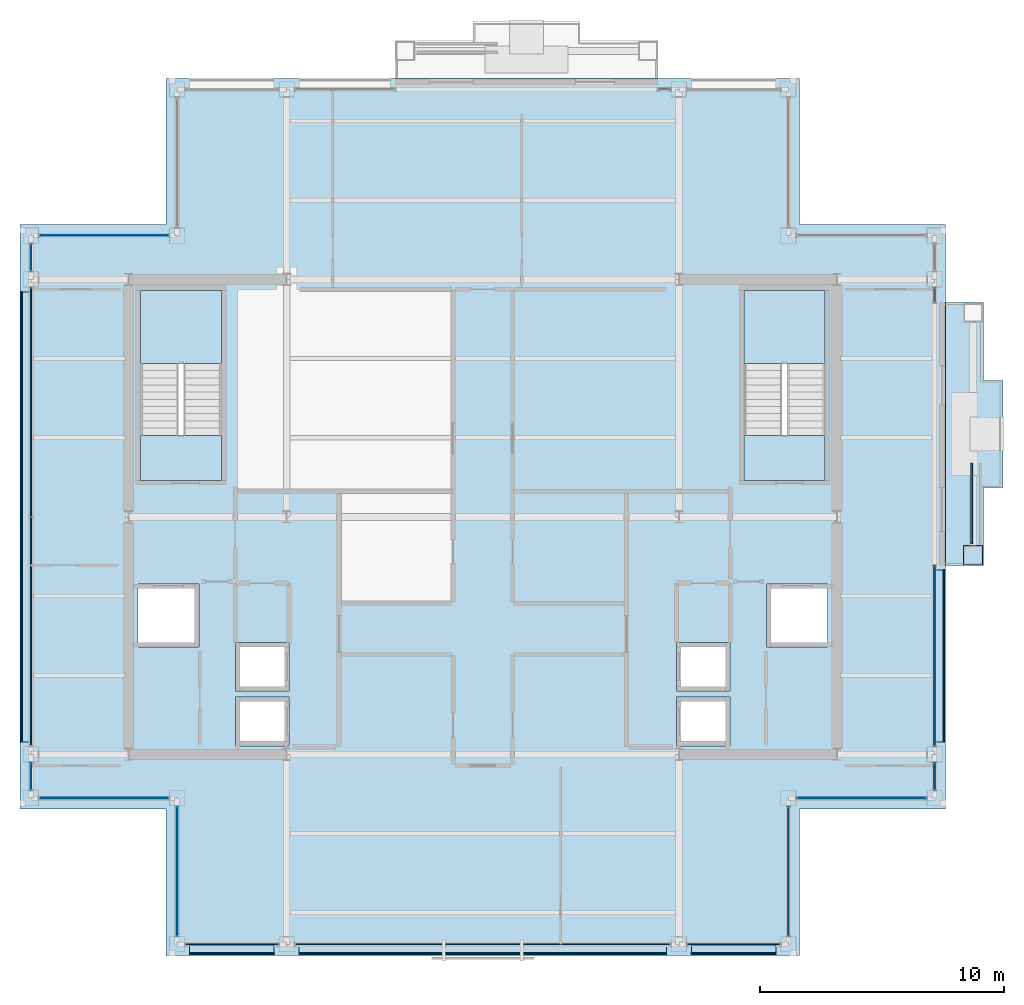
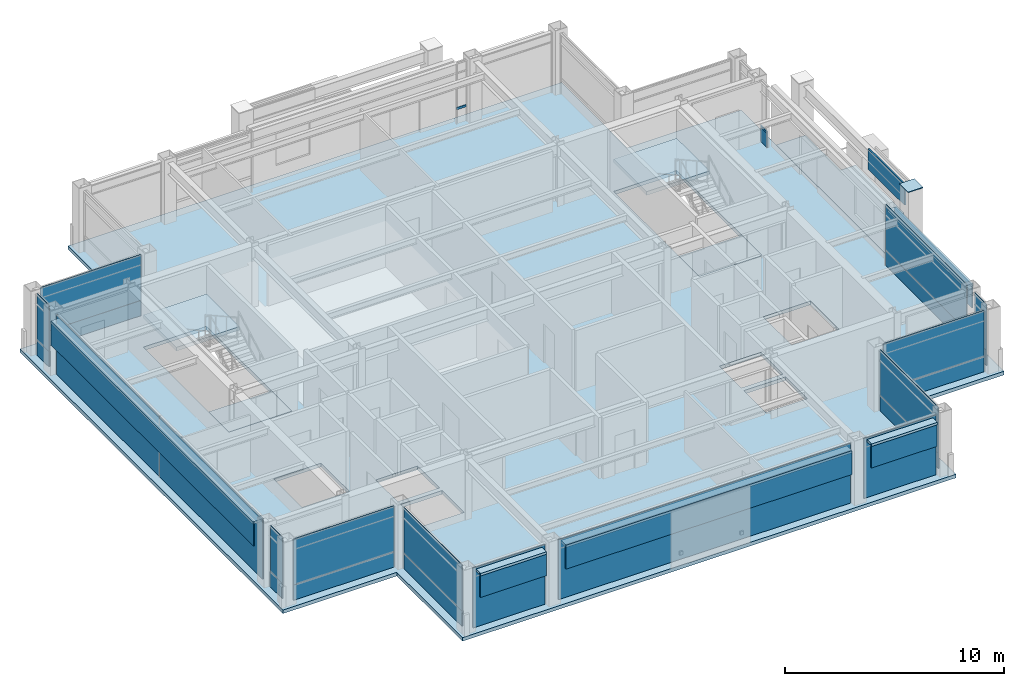
# One storey, part 17 of 23: 36 plates, 6 slabs, 2 members, 17 elements without a shape of their own.
"""IFC4 building model written with IfcOpenShell, lengths in metres."""

from ifc_helpers import new_model, si_unit, direction, frame, origin, origin_2d, place, context, subcontext, project, spatial, polyline, rectangle, hollow_rectangle, outline, extrude, material, layer, layer_set, material_profile, profile_set, type_object, element, aggregate, save


model = new_model("IFC4")

# Units and contexts
model_context = context("Model", 3, precision=1e-05, world=origin(), true_north=direction((0.0, 1.0)))
body_context = subcontext(model_context, "Body", "Model", "MODEL_VIEW")
ifc_project = project(units=[si_unit("LENGTHUNIT", "METRE"), si_unit("AREAUNIT", "SQUARE_METRE"), si_unit("VOLUMEUNIT", "CUBIC_METRE"), si_unit("PLANEANGLEUNIT", "RADIAN"), si_unit("MASSUNIT", "GRAM", prefix="KILO")], contexts=[model_context])

# Site, building, storey
site_placement = place(None, origin())
site = spatial("IfcSite", under=ifc_project, at=site_placement, CompositionType="ELEMENT")
building_placement = place(site_placement, origin())
building = spatial("IfcBuilding", under=site, at=building_placement, Name="Brelmoor Portico Tower", CompositionType="ELEMENT")
storey_placement = place(building_placement, frame((0.0, 0.0, 222.0)))
storey = spatial("IfcBuildingStorey", under=building, at=storey_placement, Name="L58", CompositionType="ELEMENT", Elevation=222.0)

# Curtain wall, member
ifc_material_1 = material(Name="Anodised Aluminium Alloy 6063-T6", Category="aluminium")
ifc_layer_1 = layer(ifc_material_1, 0.179931640625)
ifc_layer_set_1 = layer_set([ifc_layer_1], Name="Anodised Aluminium Alloy 6063-T6")
curtain_wall_type_1 = type_object("IfcCurtainWallType", Name="CW-TOWER-Z4", PredefinedType="NOTDEFINED", material=ifc_layer_set_1)
curtain_wall_1_placement = place(storey_placement, origin())
curtain_wall_1 = element("IfcCurtainWall", 1, at=curtain_wall_1_placement, inside=storey, type_object=curtain_wall_type_1, Name="L58 Curtain Wall CW-L58-2R-1", PredefinedType="NOTDEFINED")
ifc_material_profile = material_profile(ifc_material_1, hollow_rectangle(XDim=0.06005859375, YDim=0.125, WallThickness=0.00341796875, at=origin_2d()), Name="ALU TRANSOM 60x125")
ifc_profile_set = profile_set([ifc_material_profile], Name="Anodised Aluminium Alloy 6063-T6")
member_type = type_object("IfcMemberType", Name="MB-CW-TRAN-125", PredefinedType="USERDEFINED", material=ifc_profile_set)
member_1_placement = place(storey_placement, frame((7.199951171875, 17.550048828125, 0.85009765625), z_axis=(1.0, 0.0, 0.0), x_axis=(0.0, 1.0, 0.0)))
member_1 = element("IfcMember", 2, at=member_1_placement, type_object=member_type, Name="CW-L58-2R-1 Transom 1-00", ObjectType="TRANSOM", PredefinedType="USERDEFINED", context=body_context, shape_type="SweptSolid", body=[
    extrude(hollow_rectangle(XDim=0.06005859375, YDim=0.125, WallThickness=0.00341796875, at=origin_2d()), origin(), (0.0, 0.0, 1.0), 0.51513671875),
])
aggregate(curtain_wall_1, [member_1])

curtain_wall_2_placement = place(storey_placement, origin())
curtain_wall_2 = element("IfcCurtainWall", 3, at=curtain_wall_2_placement, inside=storey, type_object=curtain_wall_type_1, Name="L58 Curtain Wall CW-L58-4R-1", PredefinedType="NOTDEFINED")
member_2_placement = place(storey_placement, frame((18.550048828125, 8.800048828125, 0.85009765625), z_axis=(0.0, 1.0, 0.0), x_axis=(-1.0, 0.0, 0.0)))
member_2 = element("IfcMember", 4, at=member_2_placement, type_object=member_type, Name="CW-L58-4R-1 Transom 1-00", ObjectType="TRANSOM", PredefinedType="USERDEFINED", context=body_context, shape_type="SweptSolid", body=[
    extrude(hollow_rectangle(XDim=0.06005859375, YDim=0.125, WallThickness=0.00341796875, at=origin_2d()), origin(), (0.0, 0.0, 1.0), 0.614990234375),
])

# Plate
ifc_material_2 = material(Name="Steel Q355B", Category="steel")
ifc_layer_2 = layer(ifc_material_2, 0.044921875)
ifc_layer_set_2 = layer_set([ifc_layer_2], Name="Steel Q355B")
plate_type_1 = type_object("IfcPlateType", Name="PT-CAP-650", PredefinedType="SHEET", material=ifc_layer_set_2)
plate_1_placement = place(storey_placement, frame((20.1298828125, -1.580078125, 3.60009765625), z_axis=(0.0, 0.0, 1.0), x_axis=(0.0, 1.0, 0.0)))
element("IfcPlate", 5, at=plate_1_placement, inside=storey, type_object=plate_type_1, Name="L58 Proud Picture-Frame Pier PFJ-E1 Welded Head Cap Plate", PredefinedType="SHEET", context=body_context, shape_type="SweptSolid", body=[
    extrude(rectangle(XDim=0.7900390625, YDim=0.7900390625, at=origin_2d()), origin(), (0.0, 0.0, 1.0), 0.0400390625),
])

# Curtain wall, plate
curtain_wall_3_placement = place(storey_placement, origin())
curtain_wall_3 = element("IfcCurtainWall", 6, at=curtain_wall_3_placement, inside=storey, type_object=curtain_wall_type_1, Name="L58 Curtain Wall CW-L58-03-1", PredefinedType="NOTDEFINED")
ifc_material_3 = material(Name="Double-Silver Low-E Insulated Glazing", Category="glass")
ifc_layer_3 = layer(ifc_material_3, 0.035888671875)
ifc_layer_set_3 = layer_set([ifc_layer_3], Name="Double-Silver Low-E Insulated Glazing")
plate_type_2 = type_object("IfcPlateType", Name="PT-CW-GLASS", PredefinedType="CURTAIN_PANEL", material=ifc_layer_set_3)
plate_2_placement = place(storey_placement, frame((-18.550048828125, -10.64990234375, 0.85009765625), z_axis=(0.0, 0.0, 1.0), x_axis=(0.0, 1.0, 0.0)))
plate_2 = element("IfcPlate", 7, at=plate_2_placement, type_object=plate_type_2, Name="CW-L58-03-1 Vision Glass Panel 00", PredefinedType="CURTAIN_PANEL", context=body_context, shape_type="SweptSolid", body=[
    extrude(rectangle(XDim=1.10009765625, YDim=0.035888671875, at=origin_2d()), origin(), (0.0, 0.0, 1.0), 2.550048828125),
])

curtain_wall_4_placement = place(storey_placement, origin())
curtain_wall_4 = element("IfcCurtainWall", 8, at=curtain_wall_4_placement, inside=storey, type_object=curtain_wall_type_1, Name="L58 Curtain Wall CW-L58-03-3", PredefinedType="NOTDEFINED")
plate_3_placement = place(storey_placement, frame((-18.550048828125, 10.64990234375, 0.85009765625), z_axis=(0.0, 0.0, 1.0), x_axis=(0.0, 1.0, 0.0)))
plate_3 = element("IfcPlate", 9, at=plate_3_placement, type_object=plate_type_2, Name="CW-L58-03-3 Vision Glass Panel 00", PredefinedType="CURTAIN_PANEL", context=body_context, shape_type="SweptSolid", body=[
    extrude(rectangle(XDim=1.10009765625, YDim=0.035888671875, at=origin_2d()), origin(), (0.0, 0.0, 1.0), 2.550048828125),
])

curtain_wall_5_placement = place(storey_placement, origin())
curtain_wall_5 = element("IfcCurtainWall", 10, at=curtain_wall_5_placement, inside=storey, type_object=curtain_wall_type_1, Name="L58 Curtain Wall CW-L58-4L-1", PredefinedType="NOTDEFINED")
plate_4_placement = place(storey_placement, frame((18.550048828125, -10.64990234375, 0.85009765625), z_axis=(0.0, 0.0, 1.0), x_axis=(0.0, 1.0, 0.0)))
plate_4 = element("IfcPlate", 11, at=plate_4_placement, type_object=plate_type_2, Name="CW-L58-4L-1 Vision Glass Panel 00", PredefinedType="CURTAIN_PANEL", context=body_context, shape_type="SweptSolid", body=[
    extrude(rectangle(XDim=1.10009765625, YDim=0.035888671875, at=origin_2d()), origin(), (0.0, 0.0, 1.0), 2.550048828125),
])

curtain_wall_6_placement = place(storey_placement, origin())
curtain_wall_6 = element("IfcCurtainWall", 12, at=curtain_wall_6_placement, inside=storey, type_object=curtain_wall_type_1, Name="L58 Curtain Wall CW-L58-4L-2", PredefinedType="NOTDEFINED")
plate_5_placement = place(storey_placement, frame((18.550048828125, -5.70751953125, 0.85009765625), z_axis=(0.0, 0.0, 1.0), x_axis=(0.0, 1.0, 0.0)))
plate_5 = element("IfcPlate", 13, at=plate_5_placement, type_object=plate_type_2, Name="CW-L58-4L-2 Vision Glass Panel 00", PredefinedType="CURTAIN_PANEL", context=body_context, shape_type="SweptSolid", body=[
    extrude(rectangle(XDim=7.385009765625, YDim=0.035888671875, at=origin_2d()), origin(), (0.0, 0.0, 1.0), 2.550048828125),
])

ifc_layer_4 = layer(ifc_material_1, 0.179931640625)
ifc_layer_set_4 = layer_set([ifc_layer_4], Name="Anodised Aluminium Alloy 6063-T6")
curtain_wall_type_2 = type_object("IfcCurtainWallType", Name="CW-NOTCH-CHAMFER", PredefinedType="NOTDEFINED", material=ifc_layer_set_4)
curtain_wall_7_placement = place(storey_placement, origin())
curtain_wall_7 = element("IfcCurtainWall", 14, at=curtain_wall_7_placement, inside=storey, type_object=curtain_wall_type_2, Name="L58 Curtain Wall CWN-L58-SWH", PredefinedType="NOTDEFINED")
plate_6_placement = place(storey_placement, frame((-15.550048828125, -11.550048828125, 0.85009765625), z_axis=(0.0, 0.0, 1.0), x_axis=(1.0, 0.0, 0.0)))
plate_6 = element("IfcPlate", 15, at=plate_6_placement, type_object=plate_type_2, Name="CWN-L58-SWH Vision Glass Panel 00", PredefinedType="CURTAIN_PANEL", context=body_context, shape_type="SweptSolid", body=[
    extrude(rectangle(XDim=5.300048828125, YDim=0.035888671875, at=origin_2d()), origin(), (0.0, 0.0, 1.0), 2.550048828125),
])

curtain_wall_8_placement = place(storey_placement, origin())
curtain_wall_8 = element("IfcCurtainWall", 16, at=curtain_wall_8_placement, inside=storey, type_object=curtain_wall_type_2, Name="L58 Curtain Wall CWN-L58-SWV", PredefinedType="NOTDEFINED")
plate_7_placement = place(storey_placement, frame((-12.550048828125, -14.550048828125, 0.85009765625), z_axis=(0.0, 0.0, 1.0), x_axis=(0.0, 1.0, 0.0)))
plate_7 = element("IfcPlate", 17, at=plate_7_placement, type_object=plate_type_2, Name="CWN-L58-SWV Vision Glass Panel 00", PredefinedType="CURTAIN_PANEL", context=body_context, shape_type="SweptSolid", body=[
    extrude(rectangle(XDim=5.300048828125, YDim=0.035888671875, at=origin_2d()), origin(), (0.0, 0.0, 1.0), 2.550048828125),
])

curtain_wall_9_placement = place(storey_placement, origin())
curtain_wall_9 = element("IfcCurtainWall", 18, at=curtain_wall_9_placement, inside=storey, type_object=curtain_wall_type_2, Name="L58 Curtain Wall CWN-L58-SEH", PredefinedType="NOTDEFINED")
plate_8_placement = place(storey_placement, frame((15.550048828125, -11.550048828125, 0.85009765625), z_axis=(0.0, 0.0, 1.0), x_axis=(1.0, 0.0, 0.0)))
plate_8 = element("IfcPlate", 19, at=plate_8_placement, type_object=plate_type_2, Name="CWN-L58-SEH Vision Glass Panel 00", PredefinedType="CURTAIN_PANEL", context=body_context, shape_type="SweptSolid", body=[
    extrude(rectangle(XDim=5.300048828125, YDim=0.035888671875, at=origin_2d()), origin(), (0.0, 0.0, 1.0), 2.550048828125),
])

curtain_wall_10_placement = place(storey_placement, origin())
curtain_wall_10 = element("IfcCurtainWall", 20, at=curtain_wall_10_placement, inside=storey, type_object=curtain_wall_type_2, Name="L58 Curtain Wall CWN-L58-SEV", PredefinedType="NOTDEFINED")
plate_9_placement = place(storey_placement, frame((12.550048828125, -14.550048828125, 0.85009765625), z_axis=(0.0, 0.0, 1.0), x_axis=(0.0, 1.0, 0.0)))
plate_9 = element("IfcPlate", 21, at=plate_9_placement, type_object=plate_type_2, Name="CWN-L58-SEV Vision Glass Panel 00", PredefinedType="CURTAIN_PANEL", context=body_context, shape_type="SweptSolid", body=[
    extrude(rectangle(XDim=5.300048828125, YDim=0.035888671875, at=origin_2d()), origin(), (0.0, 0.0, 1.0), 2.550048828125),
])

curtain_wall_11_placement = place(storey_placement, origin())
curtain_wall_11 = element("IfcCurtainWall", 22, at=curtain_wall_11_placement, inside=storey, type_object=curtain_wall_type_2, Name="L58 Curtain Wall CWN-L58-NWH", PredefinedType="NOTDEFINED")
plate_10_placement = place(storey_placement, frame((-15.550048828125, 11.550048828125, 0.85009765625), z_axis=(0.0, 0.0, 1.0), x_axis=(1.0, 0.0, 0.0)))
plate_10 = element("IfcPlate", 23, at=plate_10_placement, type_object=plate_type_2, Name="CWN-L58-NWH Vision Glass Panel 00", PredefinedType="CURTAIN_PANEL", context=body_context, shape_type="SweptSolid", body=[
    extrude(rectangle(XDim=5.300048828125, YDim=0.035888671875, at=origin_2d()), origin(), (0.0, 0.0, 1.0), 2.550048828125),
])

ifc_layer_5 = layer(ifc_material_1, 0.179931640625)
ifc_layer_set_5 = layer_set([ifc_layer_5], Name="Anodised Aluminium Alloy 6063-T6")
curtain_wall_type_3 = type_object("IfcCurtainWallType", Name="CW-TOWER-Z4-XB", PredefinedType="NOTDEFINED", material=ifc_layer_set_5)
curtain_wall_12_placement = place(storey_placement, origin())
curtain_wall_12 = element("IfcCurtainWall", 24, at=curtain_wall_12_placement, inside=storey, type_object=curtain_wall_type_3, Name="L58 Curtain Wall CW-L58-01-1", PredefinedType="NOTDEFINED")
ifc_material_4 = material(Name="Pale Champagne Anodised Aluminium Panel", Category="aluminium")
ifc_layer_6 = layer(ifc_material_4, 0.050048828125)
ifc_layer_set_6 = layer_set([ifc_layer_6], Name="Pale Champagne Anodised Aluminium Panel")
plate_type_3 = type_object("IfcPlateType", Name="PT-CW-SPANDREL", PredefinedType="SHEET", material=ifc_layer_set_6)
plate_11_placement = place(storey_placement, frame((-10.300048828125, -17.550048828125, 0.0), z_axis=(0.0, 0.0, 1.0), x_axis=(1.0, 0.0, 0.0)))
plate_11 = element("IfcPlate", 25, at=plate_11_placement, type_object=plate_type_3, Name="CW-L58-01-1 Spandrel Panel 00", PredefinedType="SHEET", context=body_context, shape_type="SweptSolid", body=[
    extrude(rectangle(XDim=3.800048828125, YDim=0.050048828125, at=origin_2d()), origin(), (0.0, 0.0, 1.0), 3.33740234375),
])
aggregate(curtain_wall_12, [plate_11])

curtain_wall_13_placement = place(storey_placement, origin())
curtain_wall_13 = element("IfcCurtainWall", 26, at=curtain_wall_13_placement, inside=storey, type_object=curtain_wall_type_3, Name="L58 Curtain Wall CW-L58-01-2", PredefinedType="NOTDEFINED")
plate_12_placement = place(storey_placement, frame((0.0, -17.550048828125, 0.0), z_axis=(0.0, 0.0, 1.0), x_axis=(1.0, 0.0, 0.0)))
plate_12 = element("IfcPlate", 27, at=plate_12_placement, type_object=plate_type_3, Name="CW-L58-01-2 Spandrel Panel 00", PredefinedType="SHEET", context=body_context, shape_type="SweptSolid", body=[
    extrude(rectangle(XDim=15.39990234375, YDim=0.050048828125, at=origin_2d()), origin(), (0.0, 0.0, 1.0), 3.33740234375),
])
aggregate(curtain_wall_13, [plate_12])

curtain_wall_14_placement = place(storey_placement, origin())
curtain_wall_14 = element("IfcCurtainWall", 28, at=curtain_wall_14_placement, inside=storey, type_object=curtain_wall_type_3, Name="L58 Curtain Wall CW-L58-01-3", PredefinedType="NOTDEFINED")
plate_13_placement = place(storey_placement, frame((10.300048828125, -17.550048828125, 0.0), z_axis=(0.0, 0.0, 1.0), x_axis=(1.0, 0.0, 0.0)))
plate_13 = element("IfcPlate", 29, at=plate_13_placement, type_object=plate_type_3, Name="CW-L58-01-3 Spandrel Panel 00", PredefinedType="SHEET", context=body_context, shape_type="SweptSolid", body=[
    extrude(rectangle(XDim=3.800048828125, YDim=0.050048828125, at=origin_2d()), origin(), (0.0, 0.0, 1.0), 3.33740234375),
])
aggregate(curtain_wall_14, [plate_13])

# Plate
plate_14_placement = place(storey_placement, frame((-18.550048828125, -10.64990234375, 0.0), z_axis=(0.0, 0.0, 1.0), x_axis=(0.0, 1.0, 0.0)))
plate_14 = element("IfcPlate", 30, at=plate_14_placement, type_object=plate_type_3, Name="CW-L58-03-1 Spandrel Panel 00", PredefinedType="SHEET", context=body_context, shape_type="SweptSolid", body=[
    extrude(rectangle(XDim=1.10009765625, YDim=0.050048828125, at=origin_2d()), origin(), (0.0, 0.0, 1.0), 0.85009765625),
])

aggregate(curtain_wall_3, [plate_14, plate_2])

# Curtain wall, plates
curtain_wall_15_placement = place(storey_placement, origin())
curtain_wall_15 = element("IfcCurtainWall", 31, at=curtain_wall_15_placement, inside=storey, type_object=curtain_wall_type_3, Name="L58 Curtain Wall CW-L58-03-2", PredefinedType="NOTDEFINED")
plate_15_placement = place(storey_placement, frame((-18.550048828125, -4.70751953125, 0.0), z_axis=(0.0, 0.0, 1.0), x_axis=(0.0, 1.0, 0.0)))
plate_15 = element("IfcPlate", 32, at=plate_15_placement, type_object=plate_type_3, Name="CW-L58-03-2 Spandrel Panel 00", PredefinedType="SHEET", context=body_context, shape_type="SweptSolid", body=[
    extrude(rectangle(XDim=9.385009765625, YDim=0.050048828125, at=origin_2d()), origin(), (0.0, 0.0, 1.0), 3.33740234375),
])
plate_16_placement = place(storey_placement, frame((-18.550048828125, 4.70751953125, 0.0), z_axis=(0.0, 0.0, 1.0), x_axis=(0.0, 1.0, 0.0)))
plate_16 = element("IfcPlate", 33, at=plate_16_placement, type_object=plate_type_3, Name="CW-L58-03-2 Spandrel Panel 01", PredefinedType="SHEET", context=body_context, shape_type="SweptSolid", body=[
    extrude(rectangle(XDim=9.385009765625, YDim=0.050048828125, at=origin_2d()), origin(), (0.0, 0.0, 1.0), 3.33740234375),
])
aggregate(curtain_wall_15, [plate_15, plate_16])

# Plate
plate_17_placement = place(storey_placement, frame((-18.550048828125, 10.64990234375, 0.0), z_axis=(0.0, 0.0, 1.0), x_axis=(0.0, 1.0, 0.0)))
plate_17 = element("IfcPlate", 34, at=plate_17_placement, type_object=plate_type_3, Name="CW-L58-03-3 Spandrel Panel 00", PredefinedType="SHEET", context=body_context, shape_type="SweptSolid", body=[
    extrude(rectangle(XDim=1.10009765625, YDim=0.050048828125, at=origin_2d()), origin(), (0.0, 0.0, 1.0), 0.85009765625),
])

aggregate(curtain_wall_4, [plate_17, plate_3])

plate_18_placement = place(storey_placement, frame((18.550048828125, -10.64990234375, 0.0), z_axis=(0.0, 0.0, 1.0), x_axis=(0.0, 1.0, 0.0)))
plate_18 = element("IfcPlate", 35, at=plate_18_placement, type_object=plate_type_3, Name="CW-L58-4L-1 Spandrel Panel 00", PredefinedType="SHEET", context=body_context, shape_type="SweptSolid", body=[
    extrude(rectangle(XDim=1.10009765625, YDim=0.050048828125, at=origin_2d()), origin(), (0.0, 0.0, 1.0), 0.85009765625),
])

aggregate(curtain_wall_5, [plate_18, plate_4])

plate_19_placement = place(storey_placement, frame((18.550048828125, -5.70751953125, 0.0), z_axis=(0.0, 0.0, 1.0), x_axis=(0.0, 1.0, 0.0)))
plate_19 = element("IfcPlate", 36, at=plate_19_placement, type_object=plate_type_3, Name="CW-L58-4L-2 Spandrel Panel 00", PredefinedType="SHEET", context=body_context, shape_type="SweptSolid", body=[
    extrude(rectangle(XDim=7.385009765625, YDim=0.050048828125, at=origin_2d()), origin(), (0.0, 0.0, 1.0), 0.85009765625),
])

aggregate(curtain_wall_6, [plate_19, plate_5])

plate_20_placement = place(storey_placement, frame((18.550048828125, 9.107421875, 0.0), z_axis=(0.0, 0.0, 1.0), x_axis=(0.0, 1.0, 0.0)))
plate_20 = element("IfcPlate", 37, at=plate_20_placement, type_object=plate_type_3, Name="CW-L58-4R-1 Spandrel Panel 00", PredefinedType="SHEET", context=body_context, shape_type="SweptSolid", body=[
    extrude(rectangle(XDim=0.5849609375, YDim=0.050048828125, at=origin_2d()), origin(), (0.0, 0.0, 1.0), 0.85009765625),
])

aggregate(curtain_wall_2, [member_2, plate_20])

plate_21_placement = place(storey_placement, frame((-15.550048828125, -11.550048828125, 0.0), z_axis=(0.0, 0.0, 1.0), x_axis=(1.0, 0.0, 0.0)))
plate_21 = element("IfcPlate", 38, at=plate_21_placement, type_object=plate_type_3, Name="CWN-L58-SWH Spandrel Panel 00", PredefinedType="SHEET", context=body_context, shape_type="SweptSolid", body=[
    extrude(rectangle(XDim=5.300048828125, YDim=0.050048828125, at=origin_2d()), origin(), (0.0, 0.0, 1.0), 0.85009765625),
])

aggregate(curtain_wall_7, [plate_21, plate_6])

plate_22_placement = place(storey_placement, frame((-12.550048828125, -14.550048828125, 0.0), z_axis=(0.0, 0.0, 1.0), x_axis=(0.0, 1.0, 0.0)))
plate_22 = element("IfcPlate", 39, at=plate_22_placement, type_object=plate_type_3, Name="CWN-L58-SWV Spandrel Panel 00", PredefinedType="SHEET", context=body_context, shape_type="SweptSolid", body=[
    extrude(rectangle(XDim=5.300048828125, YDim=0.050048828125, at=origin_2d()), origin(), (0.0, 0.0, 1.0), 0.85009765625),
])

aggregate(curtain_wall_8, [plate_22, plate_7])

plate_23_placement = place(storey_placement, frame((15.550048828125, -11.550048828125, 0.0), z_axis=(0.0, 0.0, 1.0), x_axis=(1.0, 0.0, 0.0)))
plate_23 = element("IfcPlate", 40, at=plate_23_placement, type_object=plate_type_3, Name="CWN-L58-SEH Spandrel Panel 00", PredefinedType="SHEET", context=body_context, shape_type="SweptSolid", body=[
    extrude(rectangle(XDim=5.300048828125, YDim=0.050048828125, at=origin_2d()), origin(), (0.0, 0.0, 1.0), 0.85009765625),
])

aggregate(curtain_wall_9, [plate_23, plate_8])

plate_24_placement = place(storey_placement, frame((12.550048828125, -14.550048828125, 0.0), z_axis=(0.0, 0.0, 1.0), x_axis=(0.0, 1.0, 0.0)))
plate_24 = element("IfcPlate", 41, at=plate_24_placement, type_object=plate_type_3, Name="CWN-L58-SEV Spandrel Panel 00", PredefinedType="SHEET", context=body_context, shape_type="SweptSolid", body=[
    extrude(rectangle(XDim=5.300048828125, YDim=0.050048828125, at=origin_2d()), origin(), (0.0, 0.0, 1.0), 0.85009765625),
])

aggregate(curtain_wall_10, [plate_24, plate_9])

plate_25_placement = place(storey_placement, frame((-15.550048828125, 11.550048828125, 0.0), z_axis=(0.0, 0.0, 1.0), x_axis=(1.0, 0.0, 0.0)))
plate_25 = element("IfcPlate", 42, at=plate_25_placement, type_object=plate_type_3, Name="CWN-L58-NWH Spandrel Panel 00", PredefinedType="SHEET", context=body_context, shape_type="SweptSolid", body=[
    extrude(rectangle(XDim=5.300048828125, YDim=0.050048828125, at=origin_2d()), origin(), (0.0, 0.0, 1.0), 0.85009765625),
])

aggregate(curtain_wall_11, [plate_25, plate_10])

# Plates
ifc_material_5 = material(Name="Powder-Coated Aluminium Shuttered Jalousie Louvre", Category="aluminium")
ifc_layer_7 = layer(ifc_material_5, 0.06005859375)
ifc_layer_set_7 = layer_set([ifc_layer_7], Name="Powder-Coated Aluminium Shuttered Jalousie Louvre")
plate_type_4 = type_object("IfcPlateType", Name="PT-JALOUSIE-SHUTTER", PredefinedType="SHEET", material=ifc_layer_set_7)
plate_26_placement = place(storey_placement, frame((-10.300048828125, -17.929931640625, 1.8740234375), z_axis=(0.0, 0.0, 1.0), x_axis=(1.0, 0.0, 0.0)))
element("IfcPlate", 43, at=plate_26_placement, inside=storey, type_object=plate_type_4, Name="CW-L58-01-1 Perforated Jalousie Solar Screen", PredefinedType="SHEET", context=body_context, shape_type="SweptSolid", body=[
    extrude(rectangle(XDim=3.469970703125, YDim=0.06494140625, at=origin_2d()), origin(), (0.0, 0.0, 1.0), 1.325927734375),
])
plate_27_placement = place(storey_placement, frame((0.0, -17.929931640625, 1.8740234375), z_axis=(0.0, 0.0, 1.0), x_axis=(1.0, 0.0, 0.0)))
element("IfcPlate", 44, at=plate_27_placement, inside=storey, type_object=plate_type_4, Name="CW-L58-01-2 Perforated Jalousie Solar Screen", PredefinedType="SHEET", context=body_context, shape_type="SweptSolid", body=[
    extrude(rectangle(XDim=15.070068359375, YDim=0.06494140625, at=origin_2d()), origin(), (0.0, 0.0, 1.0), 1.325927734375),
])
plate_28_placement = place(storey_placement, frame((10.300048828125, -17.929931640625, 1.8740234375), z_axis=(0.0, 0.0, 1.0), x_axis=(1.0, 0.0, 0.0)))
element("IfcPlate", 45, at=plate_28_placement, inside=storey, type_object=plate_type_4, Name="CW-L58-01-3 Perforated Jalousie Solar Screen", PredefinedType="SHEET", context=body_context, shape_type="SweptSolid", body=[
    extrude(rectangle(XDim=3.469970703125, YDim=0.06494140625, at=origin_2d()), origin(), (0.0, 0.0, 1.0), 1.325927734375),
])
plate_29_placement = place(storey_placement, frame((-18.929931640625, 0.0, 1.8740234375), z_axis=(0.0, 0.0, 1.0), x_axis=(0.0, 1.0, 0.0)))
element("IfcPlate", 46, at=plate_29_placement, inside=storey, type_object=plate_type_4, Name="CW-L58-03-2 Perforated Jalousie Solar Screen", PredefinedType="SHEET", context=body_context, shape_type="SweptSolid", body=[
    extrude(rectangle(XDim=18.469970703125, YDim=0.06494140625, at=origin_2d()), origin(), (0.0, 0.0, 1.0), 1.325927734375),
])
plate_30_placement = place(storey_placement, frame((18.929931640625, -5.70751953125, 1.8740234375), z_axis=(0.0, 0.0, 1.0), x_axis=(0.0, 1.0, 0.0)))
element("IfcPlate", 47, at=plate_30_placement, inside=storey, type_object=plate_type_4, Name="CW-L58-4L-2 Perforated Jalousie Solar Screen", PredefinedType="SHEET", context=body_context, shape_type="SweptSolid", body=[
    extrude(rectangle(XDim=7.054931640625, YDim=0.06494140625, at=origin_2d()), origin(), (0.0, 0.0, 1.0), 1.325927734375),
])
plate_31_placement = place(storey_placement, frame((20.080078125, 0.550048828125, 2.275146484375), z_axis=(0.0, 0.0, 1.0), x_axis=(0.0, 1.0, 0.0)))
element("IfcPlate", 48, at=plate_31_placement, inside=storey, type_object=plate_type_4, Name="L58 Shuttered Veranda Screen E", PredefinedType="SHEET", context=body_context, shape_type="SweptSolid", body=[
    extrude(rectangle(XDim=3.300048828125, YDim=0.080078125, at=origin_2d()), origin(), (0.0, 0.0, 1.0), 1.14990234375),
])
ifc_material_6 = material(Name="Pale Champagne Perforated Aluminium Solar Screen", Category="aluminium")
ifc_layer_8 = layer(ifc_material_6, 0.054931640625)
ifc_layer_set_8 = layer_set([ifc_layer_8], Name="Pale Champagne Perforated Aluminium Solar Screen")
plate_type_5 = type_object("IfcPlateType", Name="PT-SOLAR-LOUVRE", PredefinedType="SHEET", material=ifc_layer_set_8)
plate_32_placement = place(storey_placement, frame((-10.300048828125, -17.760009765625, 3.08984375), z_axis=(0.0, 0.0, 1.0), x_axis=(1.0, 0.0, 0.0)))
element("IfcPlate", 49, at=plate_32_placement, inside=storey, type_object=plate_type_5, Name="CW-L58-01-1 Caribbean Brise-Soleil Solar Screen", PredefinedType="SHEET", context=body_context, shape_type="SweptSolid", body=[
    extrude(rectangle(XDim=3.469970703125, YDim=0.4599609375, at=origin_2d()), origin(), (0.0, 0.0, 1.0), 0.139892578125),
])
plate_33_placement = place(storey_placement, frame((0.0, -17.760009765625, 3.08984375), z_axis=(0.0, 0.0, 1.0), x_axis=(1.0, 0.0, 0.0)))
element("IfcPlate", 50, at=plate_33_placement, inside=storey, type_object=plate_type_5, Name="CW-L58-01-2 Caribbean Brise-Soleil Solar Screen", PredefinedType="SHEET", context=body_context, shape_type="SweptSolid", body=[
    extrude(rectangle(XDim=15.070068359375, YDim=0.4599609375, at=origin_2d()), origin(), (0.0, 0.0, 1.0), 0.139892578125),
])
plate_34_placement = place(storey_placement, frame((10.300048828125, -17.760009765625, 3.08984375), z_axis=(0.0, 0.0, 1.0), x_axis=(1.0, 0.0, 0.0)))
element("IfcPlate", 51, at=plate_34_placement, inside=storey, type_object=plate_type_5, Name="CW-L58-01-3 Caribbean Brise-Soleil Solar Screen", PredefinedType="SHEET", context=body_context, shape_type="SweptSolid", body=[
    extrude(rectangle(XDim=3.469970703125, YDim=0.4599609375, at=origin_2d()), origin(), (0.0, 0.0, 1.0), 0.139892578125),
])
plate_35_placement = place(storey_placement, frame((-18.760009765625, 0.0, 3.08984375), z_axis=(0.0, 0.0, 1.0), x_axis=(0.0, 1.0, 0.0)))
element("IfcPlate", 52, at=plate_35_placement, inside=storey, type_object=plate_type_5, Name="CW-L58-03-2 Caribbean Brise-Soleil Solar Screen", PredefinedType="SHEET", context=body_context, shape_type="SweptSolid", body=[
    extrude(rectangle(XDim=18.469970703125, YDim=0.4599609375, at=origin_2d()), origin(), (0.0, 0.0, 1.0), 0.139892578125),
])
plate_36_placement = place(storey_placement, frame((18.760009765625, -5.70751953125, 3.08984375), z_axis=(0.0, 0.0, 1.0), x_axis=(0.0, 1.0, 0.0)))
element("IfcPlate", 53, at=plate_36_placement, inside=storey, type_object=plate_type_5, Name="CW-L58-4L-2 Caribbean Brise-Soleil Solar Screen", PredefinedType="SHEET", context=body_context, shape_type="SweptSolid", body=[
    extrude(rectangle(XDim=7.054931640625, YDim=0.4599609375, at=origin_2d()), origin(), (0.0, 0.0, 1.0), 0.139892578125),
])

# Slabs
ifc_material_7 = material(Name="Concrete C40", Category="concrete")
ifc_layer_9 = layer(ifc_material_7, 0.199951171875)
ifc_layer_set_9 = layer_set([ifc_layer_9], Name="Concrete C40")
slab_type_1 = type_object("IfcSlabType", Name="SL-BALCONY-200", PredefinedType="FLOOR", material=ifc_layer_set_9)
slab_1_placement = place(storey_placement, frame((0.0, 0.0, -0.199951171875)))
element("IfcSlab", 54, at=slab_1_placement, inside=storey, type_object=slab_type_1, Name="L58 Loggia Tree Balcony Slab E", PredefinedType="FLOOR", context=body_context, shape_type="SweptSolid", body=[
    extrude(outline(polyline([(19.0, -2.0), (20.550048828125, -2.0), (20.550048828125, 1.199951171875), (21.35009765625, 1.199951171875), (21.35009765625, 5.60009765625), (20.550048828125, 5.60009765625), (20.550048828125, 8.800048828125), (19.0, 8.800048828125), (19.0, -2.0)])), origin(), (0.0, 0.0, 1.0), 0.199951171875),
])
ifc_layer_10 = layer(ifc_material_7, 0.199951171875)
ifc_layer_set_10 = layer_set([ifc_layer_10], Name="Concrete C40")
slab_type_2 = type_object("IfcSlabType", Name="SL-FLOOR-200", PredefinedType="FLOOR", material=ifc_layer_set_10)
slab_2_placement = place(storey_placement, frame((0.0, 0.0, -0.199951171875)))
element("IfcSlab", 55, at=slab_2_placement, inside=storey, type_object=slab_type_2, Name="L58 Main Structural Floor Slab", PredefinedType="FLOOR", context=body_context, shape_type="SweptSolid", body=[
    extrude(outline(polyline([(-13.0, -18.0), (13.0, -18.0), (13.0, -12.0), (19.0, -12.0), (19.0, 12.0), (13.0, 12.0), (13.0, 18.0), (-13.0, 18.0), (-13.0, 12.0), (-19.0, 12.0), (-19.0, -12.0), (-13.0, -12.0), (-13.0, -18.0)]), holes=[polyline([(-10.72998046875, 1.5), (-10.72998046875, 9.300048828125), (-14.050048828125, 9.300048828125), (-14.050048828125, 1.5), (-10.72998046875, 1.5)]), polyline([(14.050048828125, 1.5), (14.050048828125, 9.300048828125), (10.72998046875, 9.300048828125), (10.72998046875, 1.5), (14.050048828125, 1.5)]), polyline([(-10.14990234375, -9.39990234375), (-7.949951171875, -9.39990234375), (-7.949951171875, -7.39990234375), (-10.14990234375, -7.39990234375), (-10.14990234375, -9.39990234375)]), polyline([(-10.14990234375, -7.14990234375), (-7.949951171875, -7.14990234375), (-7.949951171875, -5.14990234375), (-10.14990234375, -5.14990234375), (-10.14990234375, -7.14990234375)]), polyline([(7.949951171875, -9.39990234375), (10.14990234375, -9.39990234375), (10.14990234375, -7.39990234375), (7.949951171875, -7.39990234375), (7.949951171875, -9.39990234375)]), polyline([(7.949951171875, -7.14990234375), (10.14990234375, -7.14990234375), (10.14990234375, -5.14990234375), (7.949951171875, -5.14990234375), (7.949951171875, -7.14990234375)]), polyline([(-14.14990234375, -5.35009765625), (-11.64990234375, -5.35009765625), (-11.64990234375, -2.75), (-14.14990234375, -2.75), (-14.14990234375, -5.35009765625)]), polyline([(11.64990234375, -5.35009765625), (14.14990234375, -5.35009765625), (14.14990234375, -2.75), (11.64990234375, -2.75), (11.64990234375, -5.35009765625)])]), origin(), (0.0, 0.0, 1.0), 0.199951171875),
])

# Stair, slab
stair_type_1 = type_object("IfcStairType", Name="ST-CORE-W", PredefinedType="HALF_TURN_STAIR", material=ifc_material_7)
stair_1_placement = place(storey_placement, origin())
stair_1 = element("IfcStair", 56, at=stair_1_placement, inside=storey, type_object=stair_type_1, Name="L58 Protected Core Exit Stair ST-W", PredefinedType="HALF_TURN_STAIR")
ifc_layer_11 = layer(ifc_material_7, 0.179931640625)
ifc_layer_set_11 = layer_set([ifc_layer_11], Name="Concrete C40")
slab_type_3 = type_object("IfcSlabType", Name="SL-LANDING-180", PredefinedType="LANDING", material=ifc_layer_set_11)
slab_3_placement = place(storey_placement, frame((0.0, 0.0, 1.60009765625)))
slab_3 = element("IfcSlab", 57, at=slab_3_placement, type_object=slab_type_3, Name="ST-W landing 1", PredefinedType="LANDING", context=body_context, shape_type="SweptSolid", body=[
    extrude(outline(polyline([(-10.72998046875, 6.300048828125), (-10.72998046875, 9.300048828125), (-14.050048828125, 9.300048828125), (-14.050048828125, 6.300048828125), (-10.72998046875, 6.300048828125)])), origin(), (0.0, 0.0, 1.0), 0.199951171875),
])
aggregate(stair_1, [slab_3])

stair_type_2 = type_object("IfcStairType", Name="ST-CORE-E", PredefinedType="HALF_TURN_STAIR", material=ifc_material_7)
stair_2_placement = place(storey_placement, origin())
stair_2 = element("IfcStair", 58, at=stair_2_placement, inside=storey, type_object=stair_type_2, Name="L58 Protected Core Exit Stair ST-E", PredefinedType="HALF_TURN_STAIR")
slab_4_placement = place(storey_placement, frame((0.0, 0.0, 1.60009765625)))
slab_4 = element("IfcSlab", 59, at=slab_4_placement, type_object=slab_type_3, Name="ST-E landing 1", PredefinedType="LANDING", context=body_context, shape_type="SweptSolid", body=[
    extrude(outline(polyline([(14.050048828125, 6.300048828125), (14.050048828125, 9.300048828125), (10.72998046875, 9.300048828125), (10.72998046875, 6.300048828125), (14.050048828125, 6.300048828125)])), origin(), (0.0, 0.0, 1.0), 0.199951171875),
])
aggregate(stair_2, [slab_4])

# Slabs
ifc_layer_12 = layer(ifc_material_7, 0.199951171875)
ifc_layer_set_12 = layer_set([ifc_layer_12], Name="Concrete C40")
slab_type_4 = type_object("IfcSlabType", Name="SL-STAIR-FL200", PredefinedType="LANDING", material=ifc_layer_set_12)
slab_5_placement = place(storey_placement, frame((0.0, 0.0, -0.199951171875)))
element("IfcSlab", 60, at=slab_5_placement, inside=storey, type_object=slab_type_4, Name="L58 ST-W Structural Floor Landing Slab", PredefinedType="LANDING", context=body_context, shape_type="SweptSolid", body=[
    extrude(outline(polyline([(-10.72998046875, 1.5), (-10.72998046875, 3.35009765625), (-14.050048828125, 3.35009765625), (-14.050048828125, 1.5), (-10.72998046875, 1.5)])), origin(), (0.0, 0.0, 1.0), 0.199951171875),
])
slab_6_placement = place(storey_placement, frame((0.0, 0.0, -0.199951171875)))
element("IfcSlab", 61, at=slab_6_placement, inside=storey, type_object=slab_type_4, Name="L58 ST-E Structural Floor Landing Slab", PredefinedType="LANDING", context=body_context, shape_type="SweptSolid", body=[
    extrude(outline(polyline([(14.050048828125, 1.5), (14.050048828125, 3.35009765625), (10.72998046875, 3.35009765625), (10.72998046875, 1.5), (14.050048828125, 1.5)])), origin(), (0.0, 0.0, 1.0), 0.199951171875),
])

save(model, "model.ifc")
